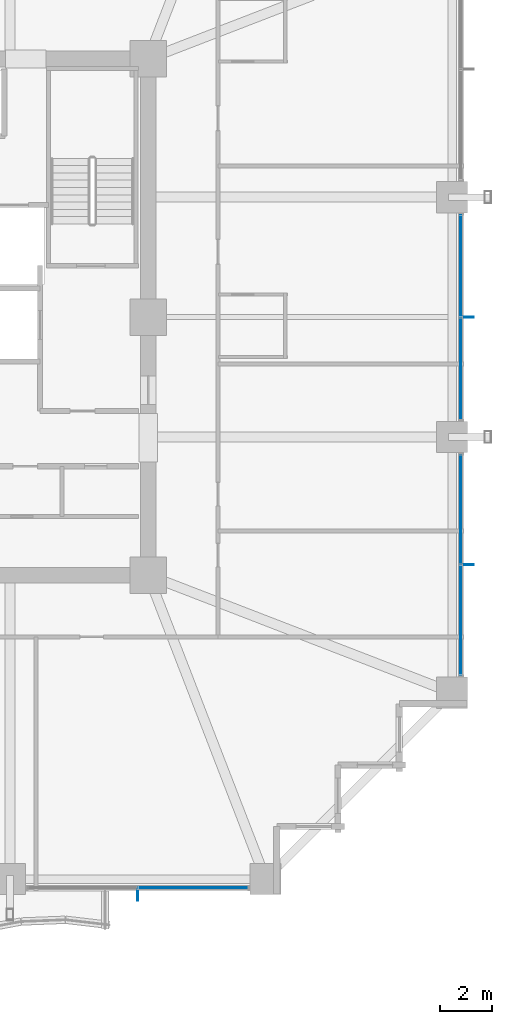
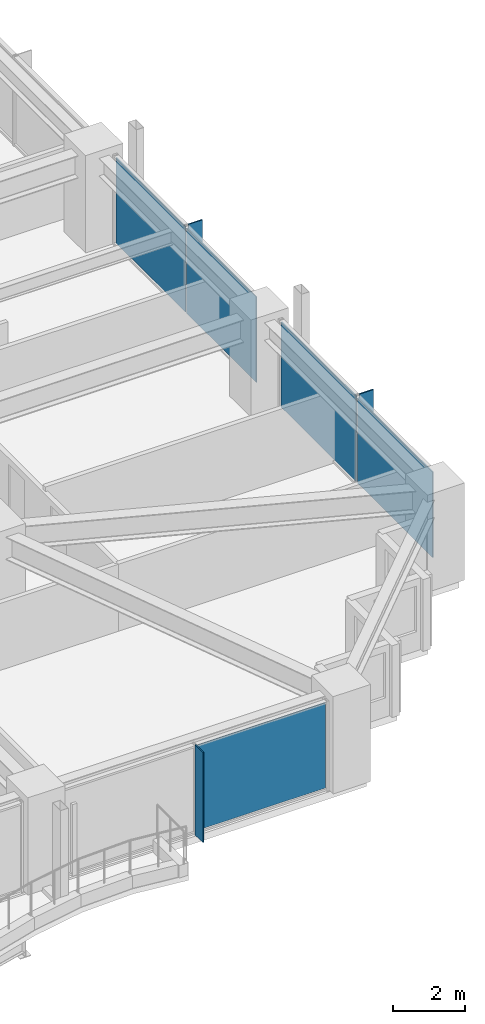
# One storey, part 28 of 38: 8 plates, 3 elements without a shape of their own.
"""IFC4 building model written with IfcOpenShell, lengths in metres."""

import ifcopenshell
import ifcopenshell.guid

model = None  # the IFC model being written
_history = None  # IfcOwnerHistory: only IFC2X3 demands one
_inside = {}  # id of a spatial element -> (the spatial element, [elements in it])
_under = {}  # id of a project, library or spatial element -> (it, [spatial elements below it])
_declared = {}  # id of a project -> (the project, [libraries it declares])
_typed = {}  # id of a type object -> (the type object, [elements of that type])
_made_of = {}  # id of a material, layer set ... -> (it, [elements and type objects made of it])


def new_model(schema):
    """Start an empty IFC model of exactly this schema.

    Asked for "IFC4X3", IfcOpenShell would pick the latest addendum, in which some entities
    have other attributes; the version numbers below select the first issue.
    IFC2X3 requires an IfcOwnerHistory on every rooted entity: one is made here for all.
    """
    global model, _history
    if schema == "IFC4X3":
        model = ifcopenshell.file(schema_version=(4, 3, 0, 0))
    else:
        model = ifcopenshell.file(schema=schema)
    _inside.clear()
    _under.clear()
    _declared.clear()
    _typed.clear()
    _made_of.clear()
    _history = None
    if model.schema == "IFC2X3":
        org = make("IfcOrganization", Name="unknown")
        user = make(
            "IfcPersonAndOrganization",
            ThePerson=make("IfcPerson", FamilyName="unknown"),
            TheOrganization=org,
        )
        app = make(
            "IfcApplication",
            ApplicationDeveloper=org,
            Version="unknown",
            ApplicationFullName="unknown",
            ApplicationIdentifier="unknown",
        )
        _history = make(
            "IfcOwnerHistory",
            OwningUser=user,
            OwningApplication=app,
            ChangeAction="ADDED",
            CreationDate=0,
        )
    return model


def make(cls, **values):
    """One entity of the class cls with the attributes given. An attribute that is None is left unset."""
    return model.create_entity(
        cls, **{name: value for name, value in values.items() if value is not None}
    )


def rooted(cls, **values):
    """An entity with a GlobalId (a new one), such as an element, a storey or a relation."""
    return make(cls, GlobalId=ifcopenshell.guid.new(), OwnerHistory=_history, **values)


def si_unit(unit_type, name, prefix=None):
    """IfcSIUnit, for example si_unit("LENGTHUNIT", "METRE", prefix="MILLI")."""
    return make("IfcSIUnit", UnitType=unit_type, Prefix=prefix, Name=name)


def assignment(units):
    """IfcUnitAssignment: the units of a project."""
    return None if units is None else make("IfcUnitAssignment", Units=units)


def point(xyz):
    """IfcCartesianPoint."""
    return None if xyz is None else make("IfcCartesianPoint", Coordinates=xyz)


def direction(xyz):
    """IfcDirection."""
    return None if xyz is None else make("IfcDirection", DirectionRatios=xyz)


def frame(location, z_axis=None, x_axis=None):
    """IfcAxis2Placement3D, a coordinate frame: its origin and axes. An axis left out is left unset."""
    return make(
        "IfcAxis2Placement3D",
        Location=point(location),
        Axis=direction(z_axis),
        RefDirection=direction(x_axis),
    )


def frame_2d(location, x_axis=None):
    """IfcAxis2Placement2D, a coordinate frame in the plane: its origin and x axis."""
    return make(
        "IfcAxis2Placement2D", Location=point(location), RefDirection=direction(x_axis)
    )


def origin():
    """The frame at (0, 0, 0) with its axes left unset."""
    return frame((0.0, 0.0, 0.0))


def origin_2d():
    """The frame at (0, 0) in the plane with its x axis left unset."""
    return frame_2d((0.0, 0.0))


def place(relative_to, where):
    """IfcLocalPlacement: puts the frame where relative to a parent placement (None: the world)."""
    return make(
        "IfcLocalPlacement", PlacementRelTo=relative_to, RelativePlacement=where
    )


def context(
    kind, dimensions, precision=None, world=None, true_north=None, identifier=None
):
    """IfcGeometricRepresentationContext, for example the 3D "Model" context."""
    return make(
        "IfcGeometricRepresentationContext",
        ContextIdentifier=identifier,
        ContextType=kind,
        CoordinateSpaceDimension=dimensions,
        Precision=precision,
        WorldCoordinateSystem=world,
        TrueNorth=true_north,
    )


def subcontext(parent, identifier, kind, view, scale=None):
    """IfcGeometricRepresentationSubContext, for example "Body" below "Model"."""
    return make(
        "IfcGeometricRepresentationSubContext",
        ContextIdentifier=identifier,
        ContextType=kind,
        ParentContext=parent,
        TargetScale=scale,
        TargetView=view,
    )


def project(units=None, contexts=None):
    """IfcProject with its units and contexts."""
    return rooted(
        "IfcProject",
        Name="project",
        RepresentationContexts=contexts,
        UnitsInContext=assignment(units),
    )


def spatial(cls, under=None, at=None, **own):
    """A site, building, storey or space (cls), placed at a placement, below another one or the project."""
    s = rooted(cls, ObjectPlacement=at, **own)
    if under is not None:
        _under.setdefault(under.id(), (under, []))[1].append(s)
    return s


def profile(cls, at=None, kind="AREA", **sizes):
    """A parametric profile (cls). Its sizes go by their IFC names, for example OverallWidth=200.0."""
    return make(cls, ProfileType=kind, Position=at, **sizes)


def rectangle(**sizes):
    """IfcRectangleProfileDef."""
    return profile("IfcRectangleProfileDef", **sizes)


def extrude(swept, where, along, depth):
    """IfcExtrudedAreaSolid: the profile swept, set in the frame where, extruded along a direction by depth."""
    return make(
        "IfcExtrudedAreaSolid",
        SweptArea=swept,
        Position=where,
        ExtrudedDirection=direction(along),
        Depth=depth,
    )


def shape(context_of_items, identifier, shape_type, items):
    """IfcShapeRepresentation: the items that make up one representation, for example the "Body"."""
    return make(
        "IfcShapeRepresentation",
        ContextOfItems=context_of_items,
        RepresentationIdentifier=identifier,
        RepresentationType=shape_type,
        Items=items,
    )


def material(Name=None, Category=None):
    """IfcMaterial."""
    return make("IfcMaterial", Name=Name, Category=Category)


def layer(
    of_material, thickness, ventilated=None, Name=None, Category=None, Priority=None
):
    """IfcMaterialLayer: one layer of a wall or slab, of a material (None: an air gap)."""
    return make(
        "IfcMaterialLayer",
        Material=of_material,
        LayerThickness=thickness,
        IsVentilated=ventilated,
        Name=Name,
        Category=Category,
        Priority=Priority,
    )


def layer_set(layers, Name=None):
    """IfcMaterialLayerSet."""
    return make("IfcMaterialLayerSet", MaterialLayers=layers, LayerSetName=Name)


def made_of(thing, what):
    """Note that an element or type object is made of a material, layer set ...; save() writes the relation."""
    if what is not None:
        _made_of.setdefault(what.id(), (what, []))[1].append(thing)
    return thing


def type_object(cls, material=None, **own):
    """A type object (cls), such as IfcWallType, which elements share."""
    return made_of(rooted(cls, **own), material)


def element(
    cls,
    number,
    at=None,
    inside=None,
    cuts=None,
    type_object=None,
    material=None,
    context=None,
    identifier="Body",
    shape_type=None,
    held_by="IfcProductDefinitionShape",
    body=None,
    shapes=None,
    **own,
):
    """One element of the class cls, such as IfcWall. Its Tag is "e" and its number.

    at: its placement. inside: the storey or other place that contains it. cuts: it is an
    opening in that element (IfcRelVoidsElement). A single representation is given by context,
    identifier, shape_type and body (its items); several are given by shapes. held_by: the class
    of the entity that holds the representations. save() writes the other relations.
    """
    e = rooted(cls, Tag="e%d" % number, ObjectPlacement=at, **own)
    if body is not None:
        shapes = [shape(context, identifier, shape_type, body)]
    if shapes is not None:
        e.Representation = make(held_by, Representations=shapes)
    if inside is not None:
        _inside.setdefault(inside.id(), (inside, []))[1].append(e)
    if cuts is not None:
        rooted(
            "IfcRelVoidsElement", RelatingBuildingElement=cuts, RelatedOpeningElement=e
        )
    if type_object is not None:
        _typed.setdefault(type_object.id(), (type_object, []))[1].append(e)
    return made_of(e, material)


def aggregate(whole, parts):
    """IfcRelAggregates: a whole, such as a stair, and the parts it consists of."""
    return rooted("IfcRelAggregates", RelatingObject=whole, RelatedObjects=parts)


def save(model, path):
    """Write the relations noted so far, then the file.

    IfcRelAggregates (storeys below a building ...), IfcRelContainedInSpatialStructure (elements
    in a storey), IfcRelDefinesByType, IfcRelAssociatesMaterial and IfcRelDeclares: one each for
    every whole, place, type object, material and project.
    """
    for whole, parts in _under.values():
        aggregate(whole, parts)
    for where, things in _inside.values():
        rooted(
            "IfcRelContainedInSpatialStructure",
            RelatedElements=things,
            RelatingStructure=where,
        )
    for kind, things in _typed.values():
        rooted("IfcRelDefinesByType", RelatedObjects=things, RelatingType=kind)
    for what, things in _made_of.values():
        rooted("IfcRelAssociatesMaterial", RelatedObjects=things, RelatingMaterial=what)
    for by, libraries in _declared.values():
        rooted("IfcRelDeclares", RelatingContext=by, RelatedDefinitions=libraries)
    model.write(path)


model = new_model("IFC4")

# Units and contexts
model_context = context("Model", 3, precision=1e-05, world=origin(), true_north=direction((0.0, 1.0)))
body_context = subcontext(model_context, "Body", "Model", "MODEL_VIEW")
ifc_project = project(units=[si_unit("LENGTHUNIT", "METRE"), si_unit("AREAUNIT", "SQUARE_METRE"), si_unit("VOLUMEUNIT", "CUBIC_METRE"), si_unit("PLANEANGLEUNIT", "RADIAN"), si_unit("MASSUNIT", "GRAM", prefix="KILO")], contexts=[model_context])

# Site, building, storey
site_placement = place(None, origin())
site = spatial("IfcSite", under=ifc_project, at=site_placement, CompositionType="ELEMENT")
building_placement = place(site_placement, origin())
building = spatial("IfcBuilding", under=site, at=building_placement, Name="Kolvaren Belvedere", CompositionType="ELEMENT")
storey_placement = place(building_placement, frame((0.0, 0.0, 50.199951171875)))
storey = spatial("IfcBuildingStorey", under=building, at=storey_placement, Name="L14", CompositionType="ELEMENT", Elevation=50.199951171875)

# Curtain wall, plate
ifc_material_1 = material(Name="Anodised pale-metal aluminium AA 6063-T6", Category="aluminium")
curtain_wall_type = type_object("IfcCurtainWallType", Name="CW-Z1-LOW", PredefinedType="NOTDEFINED", material=ifc_material_1)
curtain_wall_1_placement = place(storey_placement, origin())
curtain_wall_1 = element("IfcCurtainWall", 1, at=curtain_wall_1_placement, inside=storey, type_object=curtain_wall_type, Name="L14 Unitised Curtain Wall FCW-L14-S1-B1", PredefinedType="NOTDEFINED")
ifc_material_2 = material(Name="Low-iron triple insulated glass", Category="glass")
ifc_layer_1 = layer(ifc_material_2, 0.028076171875)
ifc_layer_set_1 = layer_set([ifc_layer_1], Name="Low-iron triple insulated glass")
plate_type_1 = type_object("IfcPlateType", Name="CW-PNL-VIS28", PredefinedType="CURTAIN_PANEL", material=ifc_layer_set_1)
plate_1_placement = place(storey_placement, frame((11.62255859375, -21.8798828125, 0.080078125), z_axis=(0.0, 0.0, 1.0), x_axis=(-1.0, 0.0, 0.0)))
plate_1 = element("IfcPlate", 2, at=plate_1_placement, type_object=plate_type_1, Name="FCW-L14-S1-B1 Vision Glazing Panel 1", PredefinedType="CURTAIN_PANEL", context=body_context, shape_type="SweptSolid", body=[
    extrude(rectangle(XDim=4.1650390625, YDim=0.028076171875, at=origin_2d()), origin(), (0.0, 0.0, 1.0), 2.89990234375),
])
aggregate(curtain_wall_1, [plate_1])

# Curtain wall, plates
curtain_wall_2_placement = place(storey_placement, origin())
curtain_wall_2 = element("IfcCurtainWall", 3, at=curtain_wall_2_placement, inside=storey, type_object=curtain_wall_type, Name="L14 Unitised Curtain Wall FCW-L14-E-B2", PredefinedType="NOTDEFINED")
plate_2_placement = place(storey_placement, frame((21.8798828125, 1.972412109375, 0.080078125), z_axis=(0.0, 0.0, 1.0), x_axis=(0.0, -1.0, 0.0)))
plate_2 = element("IfcPlate", 4, at=plate_2_placement, type_object=plate_type_1, Name="FCW-L14-E-B2 Vision Glazing Panel 1", PredefinedType="CURTAIN_PANEL", context=body_context, shape_type="SweptSolid", body=[
    extrude(rectangle(XDim=3.864990234375, YDim=0.028076171875, at=origin_2d()), origin(), (0.0, 0.0, 1.0), 2.89990234375),
])
plate_3_placement = place(storey_placement, frame((21.8798828125, -1.972412109375, 0.080078125), z_axis=(0.0, 0.0, 1.0), x_axis=(0.0, -1.0, 0.0)))
plate_3 = element("IfcPlate", 5, at=plate_3_placement, type_object=plate_type_1, Name="FCW-L14-E-B2 Vision Glazing Panel 2", PredefinedType="CURTAIN_PANEL", context=body_context, shape_type="SweptSolid", body=[
    extrude(rectangle(XDim=3.864990234375, YDim=0.028076171875, at=origin_2d()), origin(), (0.0, 0.0, 1.0), 2.89990234375),
])
aggregate(curtain_wall_2, [plate_2, plate_3])

curtain_wall_3_placement = place(storey_placement, origin())
curtain_wall_3 = element("IfcCurtainWall", 6, at=curtain_wall_3_placement, inside=storey, type_object=curtain_wall_type, Name="L14 Unitised Curtain Wall FCW-L14-E-B3", PredefinedType="NOTDEFINED")
plate_4_placement = place(storey_placement, frame((21.8798828125, -7.37744140625, 0.080078125), z_axis=(0.0, 0.0, 1.0), x_axis=(0.0, -1.0, 0.0)))
plate_4 = element("IfcPlate", 7, at=plate_4_placement, type_object=plate_type_1, Name="FCW-L14-E-B3 Vision Glazing Panel 1", PredefinedType="CURTAIN_PANEL", context=body_context, shape_type="SweptSolid", body=[
    extrude(rectangle(XDim=4.1650390625, YDim=0.028076171875, at=origin_2d()), origin(), (0.0, 0.0, 1.0), 2.89990234375),
])
plate_5_placement = place(storey_placement, frame((21.8798828125, -11.62255859375, 0.080078125), z_axis=(0.0, 0.0, 1.0), x_axis=(0.0, -1.0, 0.0)))
plate_5 = element("IfcPlate", 8, at=plate_5_placement, type_object=plate_type_1, Name="FCW-L14-E-B3 Vision Glazing Panel 2", PredefinedType="CURTAIN_PANEL", context=body_context, shape_type="SweptSolid", body=[
    extrude(rectangle(XDim=4.1650390625, YDim=0.028076171875, at=origin_2d()), origin(), (0.0, 0.0, 1.0), 2.89990234375),
])
aggregate(curtain_wall_3, [plate_4, plate_5])

# Plates
ifc_material_3 = material(Name="Anodised pale-metal aluminium AA 6063-T6", Category="aluminium")
ifc_layer_2 = layer(ifc_material_3, 0.0380859375)
ifc_layer_set_2 = layer_set([ifc_layer_2], Name="Anodised pale-metal aluminium AA 6063-T6")
plate_type_2 = type_object("IfcPlateType", Name="FIN-VERT-450", PredefinedType="USERDEFINED", material=ifc_layer_set_2)
for number, where, z_axis, x_axis, name in (
    (9, (9.5, -22.1650390625, 0.0), (0.0, 0.0, 1.0), (0.0, 1.0, 0.0), "L14 Pale-Metal Vertical Shading Fin FCW-L14-S1-B1-1"),
    (10, (22.1650390625, 0.0, 0.0), (0.0, 0.0, 1.0), (1.0, 0.0, 0.0), "L14 Pale-Metal Vertical Shading Fin FCW-L14-E-B2-1"),
    (11, (22.1650390625, -9.5, 0.0), (0.0, 0.0, 1.0), (1.0, 0.0, 0.0), "L14 Pale-Metal Vertical Shading Fin FCW-L14-E-B3-1"),
):
    element("IfcPlate", number, at=place(storey_placement, frame(where, z_axis=z_axis, x_axis=x_axis)), inside=storey, type_object=plate_type_2, Name=name, ObjectType="VERTICAL FIN", PredefinedType="USERDEFINED", context=body_context, shape_type="SweptSolid", body=[
        extrude(rectangle(XDim=0.449951171875, YDim=0.0380859375, at=origin_2d()), origin(), (0.0, 0.0, 1.0), 3.06005859375),
    ])

save(model, "model.ifc")
